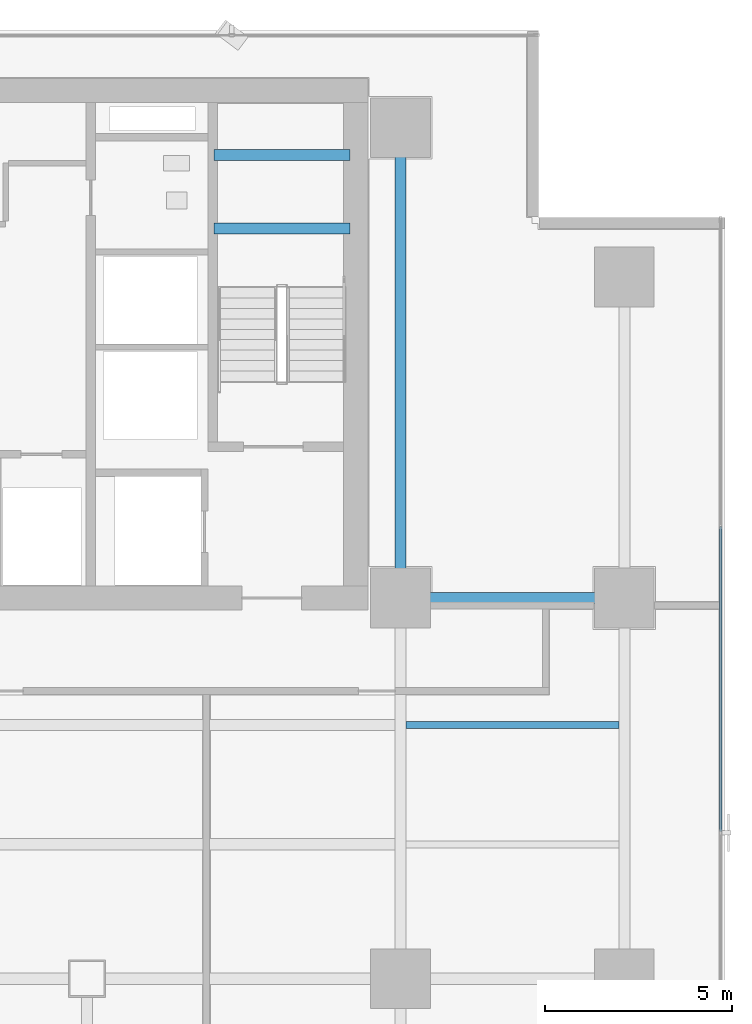
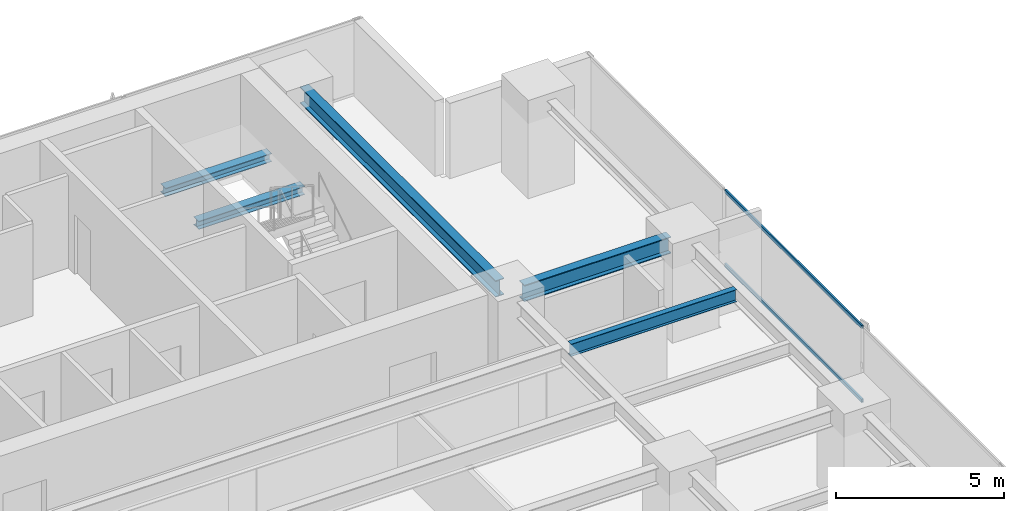
# One storey, part 23 of 36: 5 beams, 2 members, 1 element without a shape of its own.
"""IFC4 building model written with IfcOpenShell, lengths in metres."""

import ifcopenshell
import ifcopenshell.guid

model = None  # the IFC model being written
_history = None  # IfcOwnerHistory: only IFC2X3 demands one
_inside = {}  # id of a spatial element -> (the spatial element, [elements in it])
_under = {}  # id of a project, library or spatial element -> (it, [spatial elements below it])
_declared = {}  # id of a project -> (the project, [libraries it declares])
_typed = {}  # id of a type object -> (the type object, [elements of that type])
_made_of = {}  # id of a material, layer set ... -> (it, [elements and type objects made of it])


def new_model(schema):
    """Start an empty IFC model of exactly this schema.

    Asked for "IFC4X3", IfcOpenShell would pick the latest addendum, in which some entities
    have other attributes; the version numbers below select the first issue.
    IFC2X3 requires an IfcOwnerHistory on every rooted entity: one is made here for all.
    """
    global model, _history
    if schema == "IFC4X3":
        model = ifcopenshell.file(schema_version=(4, 3, 0, 0))
    else:
        model = ifcopenshell.file(schema=schema)
    _inside.clear()
    _under.clear()
    _declared.clear()
    _typed.clear()
    _made_of.clear()
    _history = None
    if model.schema == "IFC2X3":
        org = make("IfcOrganization", Name="unknown")
        user = make(
            "IfcPersonAndOrganization",
            ThePerson=make("IfcPerson", FamilyName="unknown"),
            TheOrganization=org,
        )
        app = make(
            "IfcApplication",
            ApplicationDeveloper=org,
            Version="unknown",
            ApplicationFullName="unknown",
            ApplicationIdentifier="unknown",
        )
        _history = make(
            "IfcOwnerHistory",
            OwningUser=user,
            OwningApplication=app,
            ChangeAction="ADDED",
            CreationDate=0,
        )
    return model


def make(cls, **values):
    """One entity of the class cls with the attributes given. An attribute that is None is left unset."""
    return model.create_entity(
        cls, **{name: value for name, value in values.items() if value is not None}
    )


def rooted(cls, **values):
    """An entity with a GlobalId (a new one), such as an element, a storey or a relation."""
    return make(cls, GlobalId=ifcopenshell.guid.new(), OwnerHistory=_history, **values)


def si_unit(unit_type, name, prefix=None):
    """IfcSIUnit, for example si_unit("LENGTHUNIT", "METRE", prefix="MILLI")."""
    return make("IfcSIUnit", UnitType=unit_type, Prefix=prefix, Name=name)


def assignment(units):
    """IfcUnitAssignment: the units of a project."""
    return None if units is None else make("IfcUnitAssignment", Units=units)


def point(xyz):
    """IfcCartesianPoint."""
    return None if xyz is None else make("IfcCartesianPoint", Coordinates=xyz)


def direction(xyz):
    """IfcDirection."""
    return None if xyz is None else make("IfcDirection", DirectionRatios=xyz)


def frame(location, z_axis=None, x_axis=None):
    """IfcAxis2Placement3D, a coordinate frame: its origin and axes. An axis left out is left unset."""
    return make(
        "IfcAxis2Placement3D",
        Location=point(location),
        Axis=direction(z_axis),
        RefDirection=direction(x_axis),
    )


def frame_2d(location, x_axis=None):
    """IfcAxis2Placement2D, a coordinate frame in the plane: its origin and x axis."""
    return make(
        "IfcAxis2Placement2D", Location=point(location), RefDirection=direction(x_axis)
    )


def origin():
    """The frame at (0, 0, 0) with its axes left unset."""
    return frame((0.0, 0.0, 0.0))


def origin_2d():
    """The frame at (0, 0) in the plane with its x axis left unset."""
    return frame_2d((0.0, 0.0))


def place(relative_to, where):
    """IfcLocalPlacement: puts the frame where relative to a parent placement (None: the world)."""
    return make(
        "IfcLocalPlacement", PlacementRelTo=relative_to, RelativePlacement=where
    )


def context(
    kind, dimensions, precision=None, world=None, true_north=None, identifier=None
):
    """IfcGeometricRepresentationContext, for example the 3D "Model" context."""
    return make(
        "IfcGeometricRepresentationContext",
        ContextIdentifier=identifier,
        ContextType=kind,
        CoordinateSpaceDimension=dimensions,
        Precision=precision,
        WorldCoordinateSystem=world,
        TrueNorth=true_north,
    )


def subcontext(parent, identifier, kind, view, scale=None):
    """IfcGeometricRepresentationSubContext, for example "Body" below "Model"."""
    return make(
        "IfcGeometricRepresentationSubContext",
        ContextIdentifier=identifier,
        ContextType=kind,
        ParentContext=parent,
        TargetScale=scale,
        TargetView=view,
    )


def project(units=None, contexts=None):
    """IfcProject with its units and contexts."""
    return rooted(
        "IfcProject",
        Name="project",
        RepresentationContexts=contexts,
        UnitsInContext=assignment(units),
    )


def spatial(cls, under=None, at=None, **own):
    """A site, building, storey or space (cls), placed at a placement, below another one or the project."""
    s = rooted(cls, ObjectPlacement=at, **own)
    if under is not None:
        _under.setdefault(under.id(), (under, []))[1].append(s)
    return s


def profile(cls, at=None, kind="AREA", **sizes):
    """A parametric profile (cls). Its sizes go by their IFC names, for example OverallWidth=200.0."""
    return make(cls, ProfileType=kind, Position=at, **sizes)


def hollow_rectangle(**sizes):
    """IfcRectangleHollowProfileDef."""
    return profile("IfcRectangleHollowProfileDef", **sizes)


def i_section(**sizes):
    """IfcIShapeProfileDef."""
    return profile("IfcIShapeProfileDef", **sizes)


def extrude(swept, where, along, depth):
    """IfcExtrudedAreaSolid: the profile swept, set in the frame where, extruded along a direction by depth."""
    return make(
        "IfcExtrudedAreaSolid",
        SweptArea=swept,
        Position=where,
        ExtrudedDirection=direction(along),
        Depth=depth,
    )


def shape(context_of_items, identifier, shape_type, items):
    """IfcShapeRepresentation: the items that make up one representation, for example the "Body"."""
    return make(
        "IfcShapeRepresentation",
        ContextOfItems=context_of_items,
        RepresentationIdentifier=identifier,
        RepresentationType=shape_type,
        Items=items,
    )


def source(mapping_origin, context_of_items, identifier, shape_type, items):
    """IfcRepresentationMap: a shape defined once, which mapped items show again and again."""
    return make(
        "IfcRepresentationMap",
        MappingOrigin=mapping_origin,
        MappedRepresentation=shape(context_of_items, identifier, shape_type, items),
    )


def transform(
    local_origin,
    x_axis=None,
    y_axis=None,
    z_axis=None,
    scale=None,
    scale2=None,
    scale3=None,
    uniform=True,
):
    """IfcCartesianTransformationOperator3D, or its non-uniform kind. x_axis, y_axis, z_axis: its Axis1, 2, 3."""
    if uniform:
        return make(
            "IfcCartesianTransformationOperator3D",
            Axis1=direction(x_axis),
            Axis2=direction(y_axis),
            LocalOrigin=point(local_origin),
            Scale=scale,
            Axis3=direction(z_axis),
        )
    return make(
        "IfcCartesianTransformationOperator3DnonUniform",
        Axis1=direction(x_axis),
        Axis2=direction(y_axis),
        LocalOrigin=point(local_origin),
        Scale=scale,
        Axis3=direction(z_axis),
        Scale2=scale2,
        Scale3=scale3,
    )


def mapped(mapping_source, mapping_target):
    """IfcMappedItem: shows the shape of a source again, moved by a transform."""
    return make(
        "IfcMappedItem", MappingSource=mapping_source, MappingTarget=mapping_target
    )


def material(Name=None, Category=None):
    """IfcMaterial."""
    return make("IfcMaterial", Name=Name, Category=Category)


def layer(
    of_material, thickness, ventilated=None, Name=None, Category=None, Priority=None
):
    """IfcMaterialLayer: one layer of a wall or slab, of a material (None: an air gap)."""
    return make(
        "IfcMaterialLayer",
        Material=of_material,
        LayerThickness=thickness,
        IsVentilated=ventilated,
        Name=Name,
        Category=Category,
        Priority=Priority,
    )


def layer_set(layers, Name=None):
    """IfcMaterialLayerSet."""
    return make("IfcMaterialLayerSet", MaterialLayers=layers, LayerSetName=Name)


def material_profile(
    of_material, cross_section, Name=None, Category=None, Priority=None
):
    """IfcMaterialProfile: a cross section and its material."""
    return make(
        "IfcMaterialProfile",
        Name=Name,
        Material=of_material,
        Profile=cross_section,
        Priority=Priority,
        Category=Category,
    )


def profile_set(profiles, Name=None, composite=None):
    """IfcMaterialProfileSet."""
    return make(
        "IfcMaterialProfileSet",
        Name=Name,
        MaterialProfiles=profiles,
        CompositeProfile=composite,
    )


def made_of(thing, what):
    """Note that an element or type object is made of a material, layer set ...; save() writes the relation."""
    if what is not None:
        _made_of.setdefault(what.id(), (what, []))[1].append(thing)
    return thing


def type_object(cls, material=None, **own):
    """A type object (cls), such as IfcWallType, which elements share."""
    return made_of(rooted(cls, **own), material)


def element(
    cls,
    number,
    at=None,
    inside=None,
    cuts=None,
    type_object=None,
    material=None,
    context=None,
    identifier="Body",
    shape_type=None,
    held_by="IfcProductDefinitionShape",
    body=None,
    shapes=None,
    **own,
):
    """One element of the class cls, such as IfcWall. Its Tag is "e" and its number.

    at: its placement. inside: the storey or other place that contains it. cuts: it is an
    opening in that element (IfcRelVoidsElement). A single representation is given by context,
    identifier, shape_type and body (its items); several are given by shapes. held_by: the class
    of the entity that holds the representations. save() writes the other relations.
    """
    e = rooted(cls, Tag="e%d" % number, ObjectPlacement=at, **own)
    if body is not None:
        shapes = [shape(context, identifier, shape_type, body)]
    if shapes is not None:
        e.Representation = make(held_by, Representations=shapes)
    if inside is not None:
        _inside.setdefault(inside.id(), (inside, []))[1].append(e)
    if cuts is not None:
        rooted(
            "IfcRelVoidsElement", RelatingBuildingElement=cuts, RelatedOpeningElement=e
        )
    if type_object is not None:
        _typed.setdefault(type_object.id(), (type_object, []))[1].append(e)
    return made_of(e, material)


def aggregate(whole, parts):
    """IfcRelAggregates: a whole, such as a stair, and the parts it consists of."""
    return rooted("IfcRelAggregates", RelatingObject=whole, RelatedObjects=parts)


def save(model, path):
    """Write the relations noted so far, then the file.

    IfcRelAggregates (storeys below a building ...), IfcRelContainedInSpatialStructure (elements
    in a storey), IfcRelDefinesByType, IfcRelAssociatesMaterial and IfcRelDeclares: one each for
    every whole, place, type object, material and project.
    """
    for whole, parts in _under.values():
        aggregate(whole, parts)
    for where, things in _inside.values():
        rooted(
            "IfcRelContainedInSpatialStructure",
            RelatedElements=things,
            RelatingStructure=where,
        )
    for kind, things in _typed.values():
        rooted("IfcRelDefinesByType", RelatedObjects=things, RelatingType=kind)
    for what, things in _made_of.values():
        rooted("IfcRelAssociatesMaterial", RelatedObjects=things, RelatingMaterial=what)
    for by, libraries in _declared.values():
        rooted("IfcRelDeclares", RelatingContext=by, RelatedDefinitions=libraries)
    model.write(path)


model = new_model("IFC4")

# Units and contexts
model_context = context("Model", 3, precision=1e-05, world=origin(), true_north=direction((0.0, 1.0)))
body_context = subcontext(model_context, "Body", "Model", "MODEL_VIEW")
ifc_project = project(units=[si_unit("LENGTHUNIT", "METRE"), si_unit("AREAUNIT", "SQUARE_METRE"), si_unit("VOLUMEUNIT", "CUBIC_METRE"), si_unit("PLANEANGLEUNIT", "RADIAN"), si_unit("MASSUNIT", "GRAM", prefix="KILO")], contexts=[model_context])

# Site, building, storey
site_placement = place(None, origin())
site = spatial("IfcSite", under=ifc_project, at=site_placement, CompositionType="ELEMENT")
building_placement = place(site_placement, origin())
building = spatial("IfcBuilding", under=site, at=building_placement, Name="Sumidabori Civic Tower", CompositionType="ELEMENT")
storey_placement = place(building_placement, frame((0.0, 0.0, 113.60009765625)))
storey = spatial("IfcBuildingStorey", under=building, at=storey_placement, Name="L29", CompositionType="ELEMENT", Elevation=113.60009765625)

# Beams
ifc_material_1 = material(Name="Steel SN490", Category="steel")
ifc_material_profile_1 = material_profile(ifc_material_1, i_section(OverallWidth=0.300048828125, OverallDepth=0.300048828125, WebThickness=0.010986328125, FlangeThickness=0.01904296875, at=origin_2d()), Name="HE 300 B")
ifc_profile_set_1 = profile_set([ifc_material_profile_1], Name="Steel SN490")
beam_type_1 = type_object("IfcBeamType", Name="BM-LDG-300", PredefinedType="BEAM", material=ifc_profile_set_1)
shared_shape_1 = source(origin(), body_context, "Body", "SweptSolid", [
    extrude(i_section(OverallWidth=0.300048828125, OverallDepth=0.300048828125, WebThickness=0.010986328125, FlangeThickness=0.01904296875, at=origin_2d()), origin(), (0.0, 0.0, 1.0), 3.64990234375),
])
for number, where, z_axis, x_axis, name in (
    (1, (11.800048828125, 20.09765625, 1.449951171875), (1.0, 0.0, 0.0), (0.0, 1.0, 0.0), "Stair ST-2 Landing Support Beam L29-1A"),
    (2, (11.800048828125, 22.069580078125, 1.449951171875), (1.0, 0.0, 0.0), (0.0, 1.0, 0.0), "Stair ST-2 Landing Trimmer Beam L29-1B"),
):
    element("IfcBeam", number, at=place(storey_placement, frame(where, z_axis=z_axis, x_axis=x_axis)), inside=storey, type_object=beam_type_1, Name=name, PredefinedType="BEAM", context=body_context, shape_type="MappedRepresentation", body=[
        mapped(shared_shape_1, transform((0.0, 0.0, 0.0), x_axis=(1.0, 0.0, 0.0), y_axis=(0.0, 1.0, 0.0), z_axis=(0.0, 0.0, 1.0), scale=1.0)),
    ])
ifc_material_profile_2 = material_profile(ifc_material_1, i_section(OverallWidth=0.300048828125, OverallDepth=0.60009765625, WebThickness=0.015380859375, FlangeThickness=0.030029296875, at=origin_2d()), Name="HE 600 B")
ifc_profile_set_2 = profile_set([ifc_material_profile_2], Name="Steel SN490")
beam_type_2 = type_object("IfcBeamType", Name="BM-GIRD-600", PredefinedType="BEAM", material=ifc_profile_set_2)
shared_shape_2 = source(origin(), body_context, "Body", "SweptSolid", [
    extrude(i_section(OverallWidth=0.300048828125, OverallDepth=0.60009765625, WebThickness=0.015380859375, FlangeThickness=0.030029296875, at=origin_2d()), origin(), (0.0, 0.0, 1.0), 5.0400390625),
])
beam_1_placement = place(storey_placement, frame((17.280029296875, 10.199951171875, 3.059814453125), z_axis=(1.0, 0.0, 0.0), x_axis=(0.0, 1.0, 0.0)))
element("IfcBeam", 3, at=beam_1_placement, inside=storey, type_object=beam_type_2, Name="Primary Girder L29 GX-20", PredefinedType="BEAM", context=body_context, shape_type="MappedRepresentation", body=[
    mapped(shared_shape_2, transform((0.0, 0.0, 0.0), x_axis=(1.0, 0.0, 0.0), y_axis=(0.0, 1.0, 0.0), z_axis=(0.0, 0.0, 1.0), scale=1.0)),
])
shared_shape_3 = source(origin(), body_context, "Body", "SweptSolid", [
    extrude(i_section(OverallWidth=0.300048828125, OverallDepth=0.60009765625, WebThickness=0.015380859375, FlangeThickness=0.030029296875, at=origin_2d()), origin(), (0.0, 0.0, 1.0), 11.64013671875),
])
beam_2_placement = place(storey_placement, frame((16.800048828125, 10.679931640625, 3.059814453125), z_axis=(0.0, 1.0, 0.0), x_axis=(-1.0, 0.0, 0.0)))
element("IfcBeam", 4, at=beam_2_placement, inside=storey, type_object=beam_type_2, Name="Primary Girder L29 GY-38", PredefinedType="BEAM", context=body_context, shape_type="MappedRepresentation", body=[
    mapped(shared_shape_3, transform((0.0, 0.0, 0.0), x_axis=(1.0, 0.0, 0.0), y_axis=(0.0, 1.0, 0.0), z_axis=(0.0, 0.0, 1.0), scale=1.0)),
])
ifc_material_profile_3 = material_profile(ifc_material_1, i_section(OverallWidth=0.18994140625, OverallDepth=0.449951171875, WebThickness=0.009521484375, FlangeThickness=0.0146484375, at=origin_2d()), Name="IPE 450")
ifc_profile_set_3 = profile_set([ifc_material_profile_3], Name="Steel SN490")
beam_type_3 = type_object("IfcBeamType", Name="BM-JST-450", PredefinedType="JOIST", material=ifc_profile_set_3)
shared_shape_4 = source(origin(), body_context, "Body", "SweptSolid", [
    extrude(i_section(OverallWidth=0.18994140625, OverallDepth=0.449951171875, WebThickness=0.009521484375, FlangeThickness=0.0146484375, at=origin_2d()), origin(), (0.0, 0.0, 1.0), 5.699951171875),
])
beam_3_placement = place(storey_placement, frame((16.949951171875, 6.800048828125, 3.135009765625), z_axis=(1.0, 0.0, 0.0), x_axis=(0.0, 1.0, 0.0)))
element("IfcBeam", 5, at=beam_3_placement, inside=storey, type_object=beam_type_3, Name="Outer Bay Floor Joist L29 JSTO-50", PredefinedType="JOIST", context=body_context, shape_type="MappedRepresentation", body=[
    mapped(shared_shape_4, transform((0.0, 0.0, 0.0), x_axis=(1.0, 0.0, 0.0), y_axis=(0.0, 1.0, 0.0), z_axis=(0.0, 0.0, 1.0), scale=1.0)),
])

# Curtain wall, members
ifc_material_2 = material(Name="Anodised Bronze Aluminium AW-6063-T6", Category="aluminium")
ifc_layer = layer(ifc_material_2, 0.179931640625, Name="Anodised Bronze Aluminium AW-6063-T6")
ifc_layer_set = layer_set([ifc_layer], Name="Anodised Bronze Aluminium AW-6063-T6")
curtain_wall_type = type_object("IfcCurtainWallType", Name="CW-SYS-3", PredefinedType="NOTDEFINED", material=ifc_layer_set)
curtain_wall_placement = place(storey_placement, origin())
curtain_wall = element("IfcCurtainWall", 6, at=curtain_wall_placement, inside=storey, type_object=curtain_wall_type, Name="Curtain Wall CW:L29:R04", PredefinedType="NOTDEFINED")
ifc_material_profile_4 = material_profile(ifc_material_2, hollow_rectangle(XDim=0.06005859375, YDim=0.1298828125, WallThickness=0.0048828125, at=origin_2d()), Name="ALU TRANSOM 130x60")
ifc_profile_set_4 = profile_set([ifc_material_profile_4], Name="Anodised Bronze Aluminium AW-6063-T6")
member_type = type_object("IfcMemberType", Name="CW-TRN-130", PredefinedType="USERDEFINED", material=ifc_profile_set_4)
shared_shape_5 = source(origin(), body_context, "Body", "SweptSolid", [
    extrude(hollow_rectangle(XDim=0.06005859375, YDim=0.1298828125, WallThickness=0.0048828125, at=origin_2d()), origin(), (0.0, 0.0, 1.0), 8.1630859375),
])
member_1_placement = place(storey_placement, frame((25.3798828125, 3.946533203125, 0.02978515625), z_axis=(0.0, 1.0, 0.0), x_axis=(-1.0, 0.0, 0.0)))
member_1 = element("IfcMember", 7, at=member_1_placement, type_object=member_type, Name="CW-3 transom 4.1", ObjectType="TRANSOM", PredefinedType="USERDEFINED", context=body_context, shape_type="MappedRepresentation", body=[
    mapped(shared_shape_5, transform((0.0, 0.0, 0.0), x_axis=(1.0, 0.0, 0.0), y_axis=(0.0, 1.0, 0.0), z_axis=(0.0, 0.0, 1.0), scale=1.0)),
])
member_2_placement = place(storey_placement, frame((25.3798828125, 3.946533203125, 2.7099609375), z_axis=(0.0, 1.0, 0.0), x_axis=(-1.0, 0.0, 0.0)))
member_2 = element("IfcMember", 8, at=member_2_placement, type_object=member_type, Name="CW-3 transom 4.2", ObjectType="TRANSOM", PredefinedType="USERDEFINED", context=body_context, shape_type="MappedRepresentation", body=[
    mapped(shared_shape_5, transform((0.0, 0.0, 0.0), x_axis=(1.0, 0.0, 0.0), y_axis=(0.0, 1.0, 0.0), z_axis=(0.0, 0.0, 1.0), scale=1.0)),
])
aggregate(curtain_wall, [member_1, member_2])

save(model, "model.ifc")
